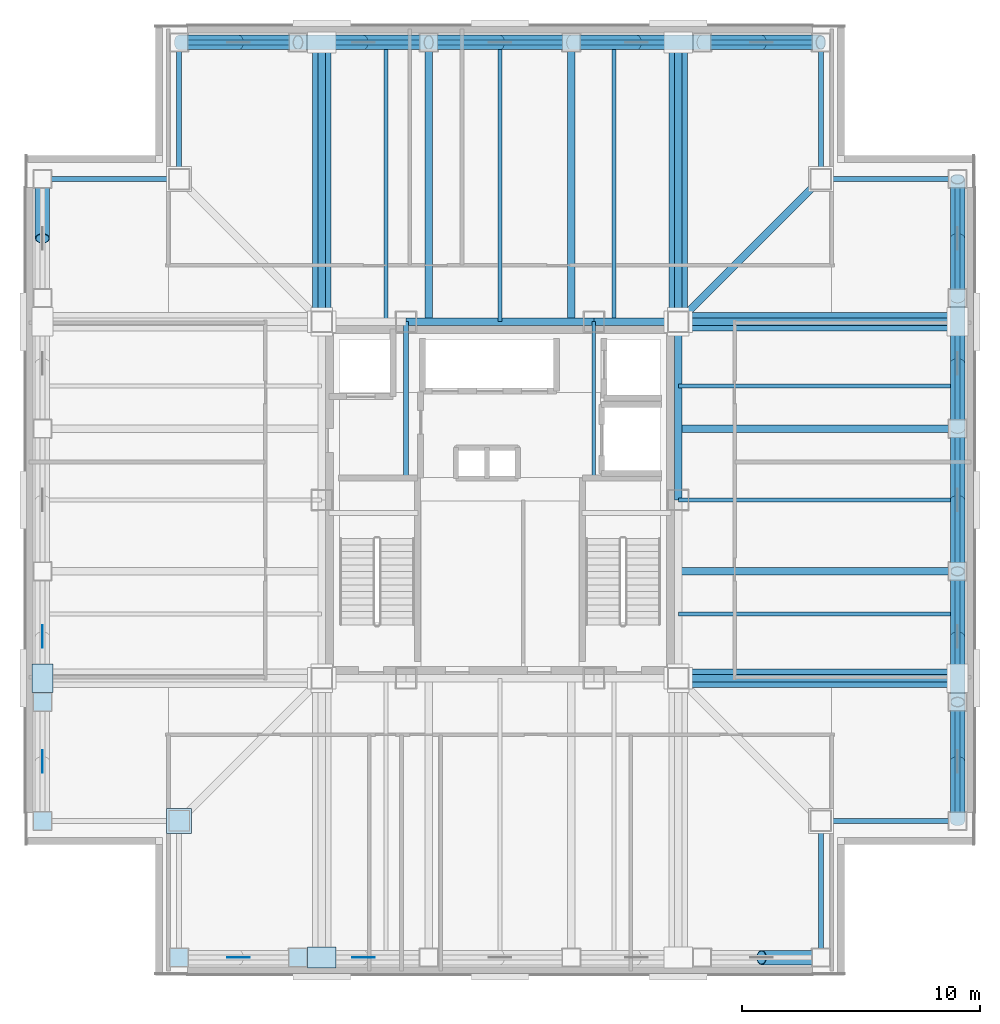
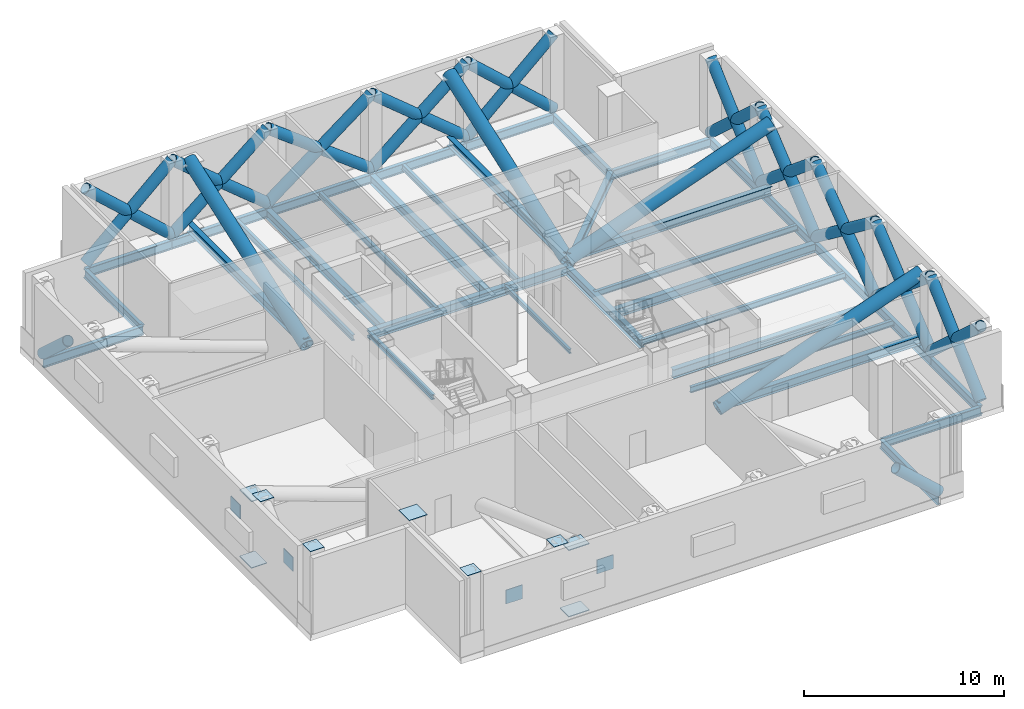
# One storey, part 2 of 10: 40 members, 32 beams, 13 plates.
"""IFC4 building model written with IfcOpenShell, lengths in metres."""

from ifc_helpers import new_model, si_unit, direction, frame, origin, origin_2d, place, context, subcontext, project, spatial, rectangle, hollow_circle, i_section, extrude, material, layer, layer_set, material_profile, profile_set, type_object, element, save


model = new_model("IFC4")

# Units and contexts
model_context = context("Model", 3, precision=1e-05, world=origin(), true_north=direction((0.0, 1.0)))
body_context = subcontext(model_context, "Body", "Model", "MODEL_VIEW")
ifc_project = project(units=[si_unit("LENGTHUNIT", "METRE"), si_unit("AREAUNIT", "SQUARE_METRE"), si_unit("VOLUMEUNIT", "CUBIC_METRE"), si_unit("PLANEANGLEUNIT", "RADIAN"), si_unit("MASSUNIT", "GRAM", prefix="KILO")], contexts=[model_context])

# Site, building, storey
site_placement = place(None, origin())
site = spatial("IfcSite", under=ifc_project, at=site_placement, CompositionType="ELEMENT")
building_placement = place(site_placement, origin())
building = spatial("IfcBuilding", under=site, at=building_placement, Name="Trevonay Congress Spire", CompositionType="ELEMENT")
storey_placement = place(building_placement, frame((0.0, 0.0, 227.39990234375)))
storey = spatial("IfcBuildingStorey", under=building, at=storey_placement, Name="L59", CompositionType="ELEMENT", Elevation=227.39990234375)

# Beams
ifc_material = material(Name="Steel ASTM A572 Grade 50", Category="steel")
ifc_material_profile_1 = material_profile(ifc_material, i_section(OverallWidth=0.31201171875, OverallDepth=0.54296875, WebThickness=0.0126953125, FlangeThickness=0.020263671875, FilletRadius=0.014892578125, at=origin_2d()), Name="W530x150")
ifc_profile_set_1 = profile_set([ifc_material_profile_1], Name="Steel ASTM A572 Grade 50")
beam_type_1 = type_object("IfcBeamType", Name="BM-GIRD-W530X150", PredefinedType="BEAM", material=ifc_profile_set_1)
beam_1_placement = place(storey_placement, frame((-3.949951171875, 7.5, -0.621337890625), z_axis=(1.0, 0.0, 0.0), x_axis=(0.0, 1.0, 0.0)))
element("IfcBeam", 1, at=beam_1_placement, inside=storey, type_object=beam_type_1, Name="L59 structural beam BM-L59-CR-N2", PredefinedType="BEAM", context=body_context, shape_type="SweptSolid", body=[
    extrude(i_section(OverallWidth=0.31201171875, OverallDepth=0.54296875, WebThickness=0.0126953125, FlangeThickness=0.020263671875, FilletRadius=0.014892578125, at=origin_2d()), origin(), (0.0, 0.0, 1.0), 7.89990234375),
])
beam_2_placement = place(storey_placement, frame((3.949951171875, 7.5, -0.621337890625), z_axis=(1.0, 0.0, 0.0), x_axis=(0.0, 1.0, 0.0)))
element("IfcBeam", 2, at=beam_2_placement, inside=storey, type_object=beam_type_1, Name="L59 structural beam BM-L59-CR-N3", PredefinedType="BEAM", context=body_context, shape_type="SweptSolid", body=[
    extrude(i_section(OverallWidth=0.31201171875, OverallDepth=0.54296875, WebThickness=0.0126953125, FlangeThickness=0.020263671875, FilletRadius=0.014892578125, at=origin_2d()), origin(), (0.0, 0.0, 1.0), 3.550048828125),
])
beam_3_placement = place(storey_placement, frame((7.5, 0.0, -0.621337890625), z_axis=(0.0, 1.0, 0.0), x_axis=(-1.0, 0.0, 0.0)))
element("IfcBeam", 3, at=beam_3_placement, inside=storey, type_object=beam_type_1, Name="L59 structural beam BM-L59-CR-E2", PredefinedType="BEAM", context=body_context, shape_type="SweptSolid", body=[
    extrude(i_section(OverallWidth=0.31201171875, OverallDepth=0.54296875, WebThickness=0.0126953125, FlangeThickness=0.020263671875, FilletRadius=0.014892578125, at=origin_2d()), origin(), (0.0, 0.0, 1.0), 7.5),
])
beam_4_placement = place(storey_placement, frame((7.5, 7.5, -0.621337890625), z_axis=(0.707106781187, 0.707106781187, 0.0), x_axis=(-0.707106781187, 0.707106781187, 0.0)))
element("IfcBeam", 4, at=beam_4_placement, inside=storey, type_object=beam_type_1, Name="L59 structural beam BM-L59-CDNE", PredefinedType="BEAM", context=body_context, shape_type="SweptSolid", body=[
    extrude(i_section(OverallWidth=0.31201171875, OverallDepth=0.54296875, WebThickness=0.0126953125, FlangeThickness=0.020263671875, FilletRadius=0.014892578125, at=origin_2d()), origin(), (0.0, 0.0, 1.0), 8.4853515625),
])
for number, where, z_axis, x_axis, name in (
    (5, (-3.0, 7.5, -0.621337890625), (0.0, 1.0, 0.0), (-1.0, 0.0, 0.0), "L59 structural beam BM-L59-GN-M"),
    (6, (7.5, -3.0, -0.621337890625), (1.0, 0.0, 0.0), (0.0, 1.0, 0.0), "L59 structural beam BM-L59-GE-M"),
    (7, (3.0, 7.5, -0.621337890625), (0.0, 1.0, 0.0), (-1.0, 0.0, 0.0), "L59 structural beam BM-L59-GN-P"),
    (8, (7.5, 3.0, -0.621337890625), (1.0, 0.0, 0.0), (0.0, 1.0, 0.0), "L59 structural beam BM-L59-GE-P"),
):
    element("IfcBeam", number, at=place(storey_placement, frame(where, z_axis=z_axis, x_axis=x_axis)), inside=storey, type_object=beam_type_1, Name=name, PredefinedType="BEAM", context=body_context, shape_type="SweptSolid", body=[
        extrude(i_section(OverallWidth=0.31201171875, OverallDepth=0.54296875, WebThickness=0.0126953125, FlangeThickness=0.020263671875, FilletRadius=0.014892578125, at=origin_2d()), origin(), (0.0, 0.0, 1.0), 11.75),
    ])
ifc_material_profile_2 = material_profile(ifc_material, i_section(OverallWidth=0.2119140625, OverallDepth=0.5439453125, WebThickness=0.01318359375, FlangeThickness=0.021240234375, FilletRadius=0.014892578125, at=origin_2d()), Name="W530x123")
ifc_profile_set_2 = profile_set([ifc_material_profile_2], Name="Steel ASTM A572 Grade 50")
beam_type_2 = type_object("IfcBeamType", Name="BM-RING-W530X123", PredefinedType="BEAM", material=ifc_profile_set_2)
for number, where, z_axis, x_axis, name in (
    (9, (-13.5, 19.25, -0.621826171875), (1.0, 0.0, 0.0), (0.0, 1.0, 0.0), "L59 structural beam BM-L59-PN1"),
    (10, (19.25, -13.5, -0.621826171875), (0.0, 1.0, 0.0), (-1.0, 0.0, 0.0), "L59 structural beam BM-L59-PE1"),
):
    element("IfcBeam", number, at=place(storey_placement, frame(where, z_axis=z_axis, x_axis=x_axis)), inside=storey, type_object=beam_type_2, Name=name, PredefinedType="BEAM", context=body_context, shape_type="SweptSolid", body=[
        extrude(i_section(OverallWidth=0.2119140625, OverallDepth=0.5439453125, WebThickness=0.01318359375, FlangeThickness=0.021240234375, FilletRadius=0.014892578125, at=origin_2d()), origin(), (0.0, 0.0, 1.0), 5.0),
    ])
for number, where, z_axis, x_axis, name in (
    (11, (-8.5, 19.25, -0.621826171875), (1.0, 0.0, 0.0), (0.0, 1.0, 0.0), "L59 structural beam BM-L59-PN2"),
    (12, (19.25, -8.5, -0.621826171875), (0.0, 1.0, 0.0), (-1.0, 0.0, 0.0), "L59 structural beam BM-L59-PE2"),
):
    element("IfcBeam", number, at=place(storey_placement, frame(where, z_axis=z_axis, x_axis=x_axis)), inside=storey, type_object=beam_type_2, Name=name, PredefinedType="BEAM", context=body_context, shape_type="SweptSolid", body=[
        extrude(i_section(OverallWidth=0.2119140625, OverallDepth=0.5439453125, WebThickness=0.01318359375, FlangeThickness=0.021240234375, FilletRadius=0.014892578125, at=origin_2d()), origin(), (0.0, 0.0, 1.0), 5.5),
    ])
for number, where, z_axis, x_axis, name in (
    (13, (-3.0, 19.25, -0.621826171875), (1.0, 0.0, 0.0), (0.0, 1.0, 0.0), "L59 structural beam BM-L59-PN3"),
    (14, (19.25, -3.0, -0.621826171875), (0.0, 1.0, 0.0), (-1.0, 0.0, 0.0), "L59 structural beam BM-L59-PE3"),
):
    element("IfcBeam", number, at=place(storey_placement, frame(where, z_axis=z_axis, x_axis=x_axis)), inside=storey, type_object=beam_type_2, Name=name, PredefinedType="BEAM", context=body_context, shape_type="SweptSolid", body=[
        extrude(i_section(OverallWidth=0.2119140625, OverallDepth=0.5439453125, WebThickness=0.01318359375, FlangeThickness=0.021240234375, FilletRadius=0.014892578125, at=origin_2d()), origin(), (0.0, 0.0, 1.0), 6.0),
    ])
for number, where, z_axis, x_axis, name in (
    (15, (3.0, 19.25, -0.621826171875), (1.0, 0.0, 0.0), (0.0, 1.0, 0.0), "L59 structural beam BM-L59-PN4"),
    (16, (19.25, 3.0, -0.621826171875), (0.0, 1.0, 0.0), (-1.0, 0.0, 0.0), "L59 structural beam BM-L59-PE4"),
):
    element("IfcBeam", number, at=place(storey_placement, frame(where, z_axis=z_axis, x_axis=x_axis)), inside=storey, type_object=beam_type_2, Name=name, PredefinedType="BEAM", context=body_context, shape_type="SweptSolid", body=[
        extrude(i_section(OverallWidth=0.2119140625, OverallDepth=0.5439453125, WebThickness=0.01318359375, FlangeThickness=0.021240234375, FilletRadius=0.014892578125, at=origin_2d()), origin(), (0.0, 0.0, 1.0), 5.5),
    ])
for number, where, z_axis, x_axis, name in (
    (17, (8.5, 19.25, -0.621826171875), (1.0, 0.0, 0.0), (0.0, 1.0, 0.0), "L59 structural beam BM-L59-PN5"),
    (18, (19.25, 8.5, -0.621826171875), (0.0, 1.0, 0.0), (-1.0, 0.0, 0.0), "L59 structural beam BM-L59-PE5"),
):
    element("IfcBeam", number, at=place(storey_placement, frame(where, z_axis=z_axis, x_axis=x_axis)), inside=storey, type_object=beam_type_2, Name=name, PredefinedType="BEAM", context=body_context, shape_type="SweptSolid", body=[
        extrude(i_section(OverallWidth=0.2119140625, OverallDepth=0.5439453125, WebThickness=0.01318359375, FlangeThickness=0.021240234375, FilletRadius=0.014892578125, at=origin_2d()), origin(), (0.0, 0.0, 1.0), 5.0),
    ])
for number, where, z_axis, x_axis, name in (
    (19, (13.5, -19.25, -0.621826171875), (0.0, 1.0, 0.0), (-1.0, 0.0, 0.0), "L59 structural beam BM-L59-N1SE"),
    (20, (19.25, -13.5, -0.621826171875), (-1.0, 0.0, 0.0), (0.0, -1.0, 0.0), "L59 structural beam BM-L59-N2SE"),
    (21, (13.5, 19.25, -0.621826171875), (0.0, -1.0, 0.0), (1.0, 0.0, 0.0), "L59 structural beam BM-L59-N1NE"),
    (22, (19.25, 13.5, -0.621826171875), (-1.0, 0.0, 0.0), (0.0, -1.0, 0.0), "L59 structural beam BM-L59-N2NE"),
    (23, (-13.5, 19.25, -0.621826171875), (0.0, -1.0, 0.0), (1.0, 0.0, 0.0), "L59 structural beam BM-L59-N1NW"),
    (24, (-19.25, 13.5, -0.621826171875), (1.0, 0.0, 0.0), (0.0, 1.0, 0.0), "L59 structural beam BM-L59-N2NW"),
):
    element("IfcBeam", number, at=place(storey_placement, frame(where, z_axis=z_axis, x_axis=x_axis)), inside=storey, type_object=beam_type_2, Name=name, PredefinedType="BEAM", context=body_context, shape_type="SweptSolid", body=[
        extrude(i_section(OverallWidth=0.2119140625, OverallDepth=0.5439453125, WebThickness=0.01318359375, FlangeThickness=0.021240234375, FilletRadius=0.014892578125, at=origin_2d()), origin(), (0.0, 0.0, 1.0), 5.75),
    ])
ifc_material_profile_3 = material_profile(ifc_material, i_section(OverallWidth=0.172119140625, OverallDepth=0.35791015625, WebThickness=0.0078125, FlangeThickness=0.01318359375, FilletRadius=0.011962890625, at=origin_2d()), Name="W360x57.8")
ifc_profile_set_3 = profile_set([ifc_material_profile_3], Name="Steel ASTM A572 Grade 50")
beam_type_3 = type_object("IfcBeamType", Name="JS-COMP-W360X57", PredefinedType="JOIST", material=ifc_profile_set_3)
for number, where, z_axis, x_axis, name in (
    (25, (-4.800048828125, 7.5, -0.52880859375), (0.0, 1.0, 0.0), (-1.0, 0.0, 0.0), "L59 structural beam JS-L59-NS-N1"),
    (26, (7.5, -4.800048828125, -0.52880859375), (1.0, 0.0, 0.0), (0.0, 1.0, 0.0), "L59 structural beam JS-L59-EW-E1"),
    (27, (0.0, 7.5, -0.52880859375), (0.0, 1.0, 0.0), (-1.0, 0.0, 0.0), "L59 structural beam JS-L59-NS-N2"),
    (28, (7.5, 0.0, -0.52880859375), (1.0, 0.0, 0.0), (0.0, 1.0, 0.0), "L59 structural beam JS-L59-EW-E2"),
    (29, (4.800048828125, 7.5, -0.52880859375), (0.0, 1.0, 0.0), (-1.0, 0.0, 0.0), "L59 structural beam JS-L59-NS-N3"),
    (30, (7.5, 4.800048828125, -0.52880859375), (1.0, 0.0, 0.0), (0.0, 1.0, 0.0), "L59 structural beam JS-L59-EW-E3"),
):
    element("IfcBeam", number, at=place(storey_placement, frame(where, z_axis=z_axis, x_axis=x_axis)), inside=storey, type_object=beam_type_3, Name=name, PredefinedType="JOIST", context=body_context, shape_type="SweptSolid", body=[
        extrude(i_section(OverallWidth=0.172119140625, OverallDepth=0.35791015625, WebThickness=0.0078125, FlangeThickness=0.01318359375, FilletRadius=0.011962890625, at=origin_2d()), origin(), (0.0, 0.0, 1.0), 11.75),
    ])
ifc_material_profile_4 = material_profile(ifc_material, i_section(OverallWidth=0.2041015625, OverallDepth=0.305908203125, WebThickness=0.008544921875, FlangeThickness=0.0146484375, FilletRadius=0.010986328125, at=origin_2d()), Name="W310x67")
ifc_profile_set_4 = profile_set([ifc_material_profile_4], Name="Steel ASTM A572 Grade 50")
beam_type_4 = type_object("IfcBeamType", Name="LN-CORE-W310X67", PredefinedType="LINTEL", material=ifc_profile_set_4)
beam_5_placement = place(storey_placement, frame((-3.949951171875, 1.0, -0.5029296875), z_axis=(0.0, 1.0, 0.0), x_axis=(-1.0, 0.0, 0.0)))
element("IfcBeam", 31, at=beam_5_placement, inside=storey, type_object=beam_type_4, Name="L59 structural beam LIN-L59-W", PredefinedType="LINTEL", context=body_context, shape_type="SweptSolid", body=[
    extrude(i_section(OverallWidth=0.2041015625, OverallDepth=0.305908203125, WebThickness=0.008544921875, FlangeThickness=0.0146484375, FilletRadius=0.010986328125, at=origin_2d()), origin(), (0.0, 0.0, 1.0), 6.5),
])
ifc_material_profile_5 = material_profile(ifc_material, i_section(OverallWidth=0.14794921875, OverallDepth=0.26611328125, WebThickness=0.007568359375, FlangeThickness=0.012939453125, FilletRadius=0.010009765625, at=origin_2d()), Name="W250x44.8")
ifc_profile_set_5 = profile_set([ifc_material_profile_5], Name="Steel ASTM A572 Grade 50")
beam_type_5 = type_object("IfcBeamType", Name="LN-DOOR-W250X45", PredefinedType="LINTEL", material=ifc_profile_set_5)
beam_6_placement = place(storey_placement, frame((3.949951171875, 1.0, -0.48291015625), z_axis=(0.0, 1.0, 0.0), x_axis=(-1.0, 0.0, 0.0)))
element("IfcBeam", 32, at=beam_6_placement, inside=storey, type_object=beam_type_5, Name="L59 structural beam LIN-L59-E", PredefinedType="LINTEL", context=body_context, shape_type="SweptSolid", body=[
    extrude(i_section(OverallWidth=0.14794921875, OverallDepth=0.26611328125, WebThickness=0.007568359375, FlangeThickness=0.012939453125, FilletRadius=0.010009765625, at=origin_2d()), origin(), (0.0, 0.0, 1.0), 6.5),
])

# Members
ifc_material_profile_6 = material_profile(ifc_material, i_section(OverallWidth=0.31201171875, OverallDepth=0.54296875, WebThickness=0.0126953125, FlangeThickness=0.020263671875, FilletRadius=0.014892578125, at=origin_2d()), Name="W530x150")
ifc_profile_set_6 = profile_set([ifc_material_profile_6], Name="Steel ASTM A572 Grade 50")
member_type_1 = type_object("IfcMemberType", Name="MBR-CHORD-HSS500", PredefinedType="CHORD", material=ifc_profile_set_6)
for number, where, z_axis, x_axis, name in (
    (33, (-7.5, 7.5, 0.10009765625), (0.0, 1.0, 0.0), (-1.0, 0.0, 0.0), "L59 outrigger bottom chord ON-W"),
    (34, (7.5, 7.5, 0.10009765625), (0.0, 1.0, 0.0), (-1.0, 0.0, 0.0), "L59 outrigger bottom chord ON-E"),
    (35, (7.5, -7.5, 0.10009765625), (1.0, 0.0, 0.0), (0.0, 1.0, 0.0), "L59 outrigger bottom chord OE-S"),
    (36, (7.5, 7.5, 0.10009765625), (1.0, 0.0, 0.0), (0.0, 1.0, 0.0), "L59 outrigger bottom chord OE-N"),
):
    element("IfcMember", number, at=place(storey_placement, frame(where, z_axis=z_axis, x_axis=x_axis)), inside=storey, type_object=member_type_1, Name=name, PredefinedType="CHORD", context=body_context, shape_type="SweptSolid", body=[
        extrude(i_section(OverallWidth=0.31201171875, OverallDepth=0.54296875, WebThickness=0.0126953125, FlangeThickness=0.020263671875, FilletRadius=0.014892578125, at=origin_2d()), origin(), (0.0, 0.0, 1.0), 11.75),
    ])
ifc_material_profile_7 = material_profile(ifc_material, hollow_circle(Radius=0.381103515625, WallThickness=0.0400390625, at=origin_2d()), Name="CHS 762x40")
ifc_profile_set_7 = profile_set([ifc_material_profile_7], Name="Steel ASTM A572 Grade 50")
member_type_2 = type_object("IfcMemberType", Name="MBR-OUTRIG-CHS762", PredefinedType="BRACE", material=ifc_profile_set_7)
for number, where, z_axis, x_axis, name in (
    (37, (-7.5, 7.5, -0.0498046875), (0.0, 0.941652460936, 0.336586753771), (-1.0, 0.0, 0.0), "L59 outrigger diagonal ON-W"),
    (38, (7.5, 7.5, -0.0498046875), (0.0, 0.941652460936, 0.336586753771), (-1.0, 0.0, 0.0), "L59 outrigger diagonal ON-E"),
    (39, (7.5, -7.5, -0.0498046875), (0.941652460936, 0.0, 0.336586753771), (0.0, 1.0, 0.0), "L59 outrigger diagonal OE-S"),
    (40, (7.5, 7.5, -0.0498046875), (0.941652460936, 0.0, 0.336586753771), (0.0, 1.0, 0.0), "L59 outrigger diagonal OE-N"),
):
    element("IfcMember", number, at=place(storey_placement, frame(where, z_axis=z_axis, x_axis=x_axis)), inside=storey, type_object=member_type_2, Name=name, PredefinedType="BRACE", context=body_context, shape_type="SweptSolid", body=[
        extrude(hollow_circle(Radius=0.381103515625, WallThickness=0.0400390625, at=origin_2d()), origin(), (0.0, 0.0, 1.0), 12.47802734375),
    ])
ifc_material_profile_8 = material_profile(ifc_material, hollow_circle(Radius=0.304931640625, WallThickness=0.031982421875, at=origin_2d()), Name="CHS 610x32")
ifc_profile_set_8 = profile_set([ifc_material_profile_8], Name="Steel ASTM A572 Grade 50")
member_type_3 = type_object("IfcMemberType", Name="MBR-TUBE-CHS610", PredefinedType="BRACE", material=ifc_profile_set_8)
member_1_placement = place(storey_placement, frame((11.0, -19.25, 2.22509765625), z_axis=(0.739619700303, 0.0, -0.673025035881), x_axis=(0.0, 1.0, 0.0)))
element("IfcMember", 41, at=member_1_placement, inside=storey, type_object=member_type_3, Name="L59 split belt truss diagonal segment S4-2B", PredefinedType="BRACE", context=body_context, shape_type="SweptSolid", body=[
    extrude(hollow_circle(Radius=0.304931640625, WallThickness=0.031982421875, at=origin_2d()), origin(), (0.0, 0.0, 1.0), 3.380126953125),
])
member_2_placement = place(storey_placement, frame((-13.5, 19.25, -0.0498046875), z_axis=(0.739619700303, 0.0, 0.673025035881), x_axis=(0.0, 1.0, 0.0)))
element("IfcMember", 42, at=member_2_placement, inside=storey, type_object=member_type_3, Name="L59 continuous belt truss diagonal N0-1", PredefinedType="BRACE", context=body_context, shape_type="SweptSolid", body=[
    extrude(hollow_circle(Radius=0.304931640625, WallThickness=0.031982421875, at=origin_2d()), origin(), (0.0, 0.0, 1.0), 6.76025390625),
])
for number, where, z_axis, x_axis, name in (
    (43, (-13.5, 19.25, 4.5), (0.739619700303, 0.0, -0.673025035881), (0.0, 1.0, 0.0), "L59 split belt truss diagonal segment N0-2A"),
    (44, (-11.0, 19.25, 2.22509765625), (0.739619700303, 0.0, -0.673025035881), (0.0, 1.0, 0.0), "L59 split belt truss diagonal segment N0-2B"),
):
    element("IfcMember", number, at=place(storey_placement, frame(where, z_axis=z_axis, x_axis=x_axis)), inside=storey, type_object=member_type_3, Name=name, PredefinedType="BRACE", context=body_context, shape_type="SweptSolid", body=[
        extrude(hollow_circle(Radius=0.304931640625, WallThickness=0.031982421875, at=origin_2d()), origin(), (0.0, 0.0, 1.0), 3.380126953125),
    ])
member_3_placement = place(storey_placement, frame((-8.5, 19.25, -0.0498046875), z_axis=(0.770526385827, 0.0, 0.637408102196), x_axis=(0.0, 1.0, 0.0)))
element("IfcMember", 45, at=member_3_placement, inside=storey, type_object=member_type_3, Name="L59 continuous belt truss diagonal N1-1", PredefinedType="BRACE", context=body_context, shape_type="SweptSolid", body=[
    extrude(hollow_circle(Radius=0.304931640625, WallThickness=0.031982421875, at=origin_2d()), origin(), (0.0, 0.0, 1.0), 7.137939453125),
])
for number, where, z_axis, x_axis, name in (
    (46, (-8.5, 19.25, 4.5), (0.770526385827, 0.0, -0.637408102196), (0.0, 1.0, 0.0), "L59 split belt truss diagonal segment N1-2A"),
    (47, (-5.75, 19.25, 2.22509765625), (0.770526385827, 0.0, -0.637408102196), (0.0, 1.0, 0.0), "L59 split belt truss diagonal segment N1-2B"),
):
    element("IfcMember", number, at=place(storey_placement, frame(where, z_axis=z_axis, x_axis=x_axis)), inside=storey, type_object=member_type_3, Name=name, PredefinedType="BRACE", context=body_context, shape_type="SweptSolid", body=[
        extrude(hollow_circle(Radius=0.304931640625, WallThickness=0.031982421875, at=origin_2d()), origin(), (0.0, 0.0, 1.0), 3.569091796875),
    ])
member_4_placement = place(storey_placement, frame((-3.0, 19.25, -0.0498046875), z_axis=(0.796813994837, 0.0, 0.604224674796), x_axis=(0.0, 1.0, 0.0)))
element("IfcMember", 48, at=member_4_placement, inside=storey, type_object=member_type_3, Name="L59 continuous belt truss diagonal N2-1", PredefinedType="BRACE", context=body_context, shape_type="SweptSolid", body=[
    extrude(hollow_circle(Radius=0.304931640625, WallThickness=0.031982421875, at=origin_2d()), origin(), (0.0, 0.0, 1.0), 7.530029296875),
])
for number, where, z_axis, x_axis, name in (
    (49, (-3.0, 19.25, 4.5), (0.796813994837, 0.0, -0.604224674796), (0.0, 1.0, 0.0), "L59 split belt truss diagonal segment N2-2A"),
    (50, (0.0, 19.25, 2.22509765625), (0.796813994837, 0.0, -0.604224674796), (0.0, 1.0, 0.0), "L59 split belt truss diagonal segment N2-2B"),
):
    element("IfcMember", number, at=place(storey_placement, frame(where, z_axis=z_axis, x_axis=x_axis)), inside=storey, type_object=member_type_3, Name=name, PredefinedType="BRACE", context=body_context, shape_type="SweptSolid", body=[
        extrude(hollow_circle(Radius=0.304931640625, WallThickness=0.031982421875, at=origin_2d()), origin(), (0.0, 0.0, 1.0), 3.764892578125),
    ])
member_5_placement = place(storey_placement, frame((3.0, 19.25, -0.0498046875), z_axis=(0.770526385827, 0.0, 0.637408102196), x_axis=(0.0, 1.0, 0.0)))
element("IfcMember", 51, at=member_5_placement, inside=storey, type_object=member_type_3, Name="L59 continuous belt truss diagonal N3-1", PredefinedType="BRACE", context=body_context, shape_type="SweptSolid", body=[
    extrude(hollow_circle(Radius=0.304931640625, WallThickness=0.031982421875, at=origin_2d()), origin(), (0.0, 0.0, 1.0), 7.137939453125),
])
for number, where, z_axis, x_axis, name in (
    (52, (3.0, 19.25, 4.5), (0.770526385827, 0.0, -0.637408102196), (0.0, 1.0, 0.0), "L59 split belt truss diagonal segment N3-2A"),
    (53, (5.75, 19.25, 2.22509765625), (0.770526385827, 0.0, -0.637408102196), (0.0, 1.0, 0.0), "L59 split belt truss diagonal segment N3-2B"),
):
    element("IfcMember", number, at=place(storey_placement, frame(where, z_axis=z_axis, x_axis=x_axis)), inside=storey, type_object=member_type_3, Name=name, PredefinedType="BRACE", context=body_context, shape_type="SweptSolid", body=[
        extrude(hollow_circle(Radius=0.304931640625, WallThickness=0.031982421875, at=origin_2d()), origin(), (0.0, 0.0, 1.0), 3.569091796875),
    ])
member_6_placement = place(storey_placement, frame((8.5, 19.25, -0.0498046875), z_axis=(0.739619700303, 0.0, 0.673025035881), x_axis=(0.0, 1.0, 0.0)))
element("IfcMember", 54, at=member_6_placement, inside=storey, type_object=member_type_3, Name="L59 continuous belt truss diagonal N4-1", PredefinedType="BRACE", context=body_context, shape_type="SweptSolid", body=[
    extrude(hollow_circle(Radius=0.304931640625, WallThickness=0.031982421875, at=origin_2d()), origin(), (0.0, 0.0, 1.0), 6.76025390625),
])
for number, where, z_axis, x_axis, name in (
    (55, (8.5, 19.25, 4.5), (0.739619700303, 0.0, -0.673025035881), (0.0, 1.0, 0.0), "L59 split belt truss diagonal segment N4-2A"),
    (56, (11.0, 19.25, 2.22509765625), (0.739619700303, 0.0, -0.673025035881), (0.0, 1.0, 0.0), "L59 split belt truss diagonal segment N4-2B"),
    (57, (-19.25, 11.0, 2.22509765625), (0.0, 0.739619700303, -0.673025035881), (-1.0, 0.0, 0.0), "L59 split belt truss diagonal segment W4-2B"),
):
    element("IfcMember", number, at=place(storey_placement, frame(where, z_axis=z_axis, x_axis=x_axis)), inside=storey, type_object=member_type_3, Name=name, PredefinedType="BRACE", context=body_context, shape_type="SweptSolid", body=[
        extrude(hollow_circle(Radius=0.304931640625, WallThickness=0.031982421875, at=origin_2d()), origin(), (0.0, 0.0, 1.0), 3.380126953125),
    ])
member_7_placement = place(storey_placement, frame((19.25, -13.5, -0.0498046875), z_axis=(0.0, 0.739619700303, 0.673025035881), x_axis=(-1.0, 0.0, 0.0)))
element("IfcMember", 58, at=member_7_placement, inside=storey, type_object=member_type_3, Name="L59 continuous belt truss diagonal E0-1", PredefinedType="BRACE", context=body_context, shape_type="SweptSolid", body=[
    extrude(hollow_circle(Radius=0.304931640625, WallThickness=0.031982421875, at=origin_2d()), origin(), (0.0, 0.0, 1.0), 6.76025390625),
])
for number, where, z_axis, x_axis, name in (
    (59, (19.25, -13.5, 4.5), (0.0, 0.739619700303, -0.673025035881), (-1.0, 0.0, 0.0), "L59 split belt truss diagonal segment E0-2A"),
    (60, (19.25, -11.0, 2.22509765625), (0.0, 0.739619700303, -0.673025035881), (-1.0, 0.0, 0.0), "L59 split belt truss diagonal segment E0-2B"),
):
    element("IfcMember", number, at=place(storey_placement, frame(where, z_axis=z_axis, x_axis=x_axis)), inside=storey, type_object=member_type_3, Name=name, PredefinedType="BRACE", context=body_context, shape_type="SweptSolid", body=[
        extrude(hollow_circle(Radius=0.304931640625, WallThickness=0.031982421875, at=origin_2d()), origin(), (0.0, 0.0, 1.0), 3.380126953125),
    ])
member_8_placement = place(storey_placement, frame((19.25, -8.5, -0.0498046875), z_axis=(0.0, 0.770526385827, 0.637408102196), x_axis=(-1.0, 0.0, 0.0)))
element("IfcMember", 61, at=member_8_placement, inside=storey, type_object=member_type_3, Name="L59 continuous belt truss diagonal E1-1", PredefinedType="BRACE", context=body_context, shape_type="SweptSolid", body=[
    extrude(hollow_circle(Radius=0.304931640625, WallThickness=0.031982421875, at=origin_2d()), origin(), (0.0, 0.0, 1.0), 7.137939453125),
])
for number, where, z_axis, x_axis, name in (
    (62, (19.25, -8.5, 4.5), (0.0, 0.770526385827, -0.637408102196), (-1.0, 0.0, 0.0), "L59 split belt truss diagonal segment E1-2A"),
    (63, (19.25, -5.75, 2.22509765625), (0.0, 0.770526385827, -0.637408102196), (-1.0, 0.0, 0.0), "L59 split belt truss diagonal segment E1-2B"),
):
    element("IfcMember", number, at=place(storey_placement, frame(where, z_axis=z_axis, x_axis=x_axis)), inside=storey, type_object=member_type_3, Name=name, PredefinedType="BRACE", context=body_context, shape_type="SweptSolid", body=[
        extrude(hollow_circle(Radius=0.304931640625, WallThickness=0.031982421875, at=origin_2d()), origin(), (0.0, 0.0, 1.0), 3.569091796875),
    ])
member_9_placement = place(storey_placement, frame((19.25, -3.0, -0.0498046875), z_axis=(0.0, 0.796813994837, 0.604224674796), x_axis=(-1.0, 0.0, 0.0)))
element("IfcMember", 64, at=member_9_placement, inside=storey, type_object=member_type_3, Name="L59 continuous belt truss diagonal E2-1", PredefinedType="BRACE", context=body_context, shape_type="SweptSolid", body=[
    extrude(hollow_circle(Radius=0.304931640625, WallThickness=0.031982421875, at=origin_2d()), origin(), (0.0, 0.0, 1.0), 7.530029296875),
])
for number, where, z_axis, x_axis, name in (
    (65, (19.25, -3.0, 4.5), (0.0, 0.796813994837, -0.604224674796), (-1.0, 0.0, 0.0), "L59 split belt truss diagonal segment E2-2A"),
    (66, (19.25, 0.0, 2.22509765625), (0.0, 0.796813994837, -0.604224674796), (-1.0, 0.0, 0.0), "L59 split belt truss diagonal segment E2-2B"),
):
    element("IfcMember", number, at=place(storey_placement, frame(where, z_axis=z_axis, x_axis=x_axis)), inside=storey, type_object=member_type_3, Name=name, PredefinedType="BRACE", context=body_context, shape_type="SweptSolid", body=[
        extrude(hollow_circle(Radius=0.304931640625, WallThickness=0.031982421875, at=origin_2d()), origin(), (0.0, 0.0, 1.0), 3.764892578125),
    ])
member_10_placement = place(storey_placement, frame((19.25, 3.0, -0.0498046875), z_axis=(0.0, 0.770526385827, 0.637408102196), x_axis=(-1.0, 0.0, 0.0)))
element("IfcMember", 67, at=member_10_placement, inside=storey, type_object=member_type_3, Name="L59 continuous belt truss diagonal E3-1", PredefinedType="BRACE", context=body_context, shape_type="SweptSolid", body=[
    extrude(hollow_circle(Radius=0.304931640625, WallThickness=0.031982421875, at=origin_2d()), origin(), (0.0, 0.0, 1.0), 7.137939453125),
])
for number, where, z_axis, x_axis, name in (
    (68, (19.25, 3.0, 4.5), (0.0, 0.770526385827, -0.637408102196), (-1.0, 0.0, 0.0), "L59 split belt truss diagonal segment E3-2A"),
    (69, (19.25, 5.75, 2.22509765625), (0.0, 0.770526385827, -0.637408102196), (-1.0, 0.0, 0.0), "L59 split belt truss diagonal segment E3-2B"),
):
    element("IfcMember", number, at=place(storey_placement, frame(where, z_axis=z_axis, x_axis=x_axis)), inside=storey, type_object=member_type_3, Name=name, PredefinedType="BRACE", context=body_context, shape_type="SweptSolid", body=[
        extrude(hollow_circle(Radius=0.304931640625, WallThickness=0.031982421875, at=origin_2d()), origin(), (0.0, 0.0, 1.0), 3.569091796875),
    ])
member_11_placement = place(storey_placement, frame((19.25, 8.5, -0.0498046875), z_axis=(0.0, 0.739619700303, 0.673025035881), x_axis=(-1.0, 0.0, 0.0)))
element("IfcMember", 70, at=member_11_placement, inside=storey, type_object=member_type_3, Name="L59 continuous belt truss diagonal E4-1", PredefinedType="BRACE", context=body_context, shape_type="SweptSolid", body=[
    extrude(hollow_circle(Radius=0.304931640625, WallThickness=0.031982421875, at=origin_2d()), origin(), (0.0, 0.0, 1.0), 6.76025390625),
])
for number, where, z_axis, x_axis, name in (
    (71, (19.25, 8.5, 4.5), (0.0, 0.739619700303, -0.673025035881), (-1.0, 0.0, 0.0), "L59 split belt truss diagonal segment E4-2A"),
    (72, (19.25, 11.0, 2.22509765625), (0.0, 0.739619700303, -0.673025035881), (-1.0, 0.0, 0.0), "L59 split belt truss diagonal segment E4-2B"),
):
    element("IfcMember", number, at=place(storey_placement, frame(where, z_axis=z_axis, x_axis=x_axis)), inside=storey, type_object=member_type_3, Name=name, PredefinedType="BRACE", context=body_context, shape_type="SweptSolid", body=[
        extrude(hollow_circle(Radius=0.304931640625, WallThickness=0.031982421875, at=origin_2d()), origin(), (0.0, 0.0, 1.0), 3.380126953125),
    ])

# Plates
ifc_layer_1 = layer(ifc_material, 0.034912109375, Name="Steel ASTM A572 Grade 50")
ifc_layer_set_1 = layer_set([ifc_layer_1], Name="Steel ASTM A572 Grade 50")
plate_type_1 = type_object("IfcPlateType", Name="PLT-ENDCAP-EXT-105", PredefinedType="USERDEFINED", material=ifc_layer_set_1)
plate_placement = place(storey_placement, frame((-13.5, -13.5, 4.58251953125), z_axis=(0.0, 0.0, 1.0), x_axis=(1.0, 0.0, 0.0)))
element("IfcPlate", 73, at=plate_placement, inside=storey, type_object=plate_type_1, Name="L59 hollow column end-cap plate at NC-SW", ObjectType="CAP_PLATE", PredefinedType="USERDEFINED", context=body_context, shape_type="SweptSolid", body=[
    extrude(rectangle(XDim=1.050048828125, YDim=1.050048828125, at=origin_2d()), origin(), (0.0, 0.0, 1.0), 0.034912109375),
])
ifc_layer_2 = layer(ifc_material, 0.030029296875, Name="Steel ASTM A572 Grade 50")
ifc_layer_set_2 = layer_set([ifc_layer_2], Name="Steel ASTM A572 Grade 50")
plate_type_2 = type_object("IfcPlateType", Name="PLT-ENDCAP-EXT-80", PredefinedType="USERDEFINED", material=ifc_layer_set_2)
for number, where, z_axis, x_axis, name in (
    (74, (-13.5, -19.25, 4.5849609375), (0.0, 0.0, 1.0), (1.0, 0.0, 0.0), "L59 hollow column end-cap plate at TS-1"),
    (75, (-19.25, -13.5, 4.5849609375), (0.0, 0.0, 1.0), (1.0, 0.0, 0.0), "L59 hollow column end-cap plate at TW-1"),
    (76, (-8.5, -19.25, 4.5849609375), (0.0, 0.0, 1.0), (1.0, 0.0, 0.0), "L59 hollow column end-cap plate at TS-2"),
    (77, (-19.25, -8.5, 4.5849609375), (0.0, 0.0, 1.0), (1.0, 0.0, 0.0), "L59 hollow column end-cap plate at TW-2"),
):
    element("IfcPlate", number, at=place(storey_placement, frame(where, z_axis=z_axis, x_axis=x_axis)), inside=storey, type_object=plate_type_2, Name=name, ObjectType="CAP_PLATE", PredefinedType="USERDEFINED", context=body_context, shape_type="SweptSolid", body=[
        extrude(rectangle(XDim=0.800048828125, YDim=0.800048828125, at=origin_2d()), origin(), (0.0, 0.0, 1.0), 0.030029296875),
    ])
ifc_layer_3 = layer(ifc_material, 0.034912109375, Name="Steel ASTM A572 Grade 50")
ifc_layer_set_3 = layer_set([ifc_layer_3], Name="Steel ASTM A572 Grade 50")
plate_type_3 = type_object("IfcPlateType", Name="PLT-GUSSET-BELT-35", PredefinedType="USERDEFINED", material=ifc_layer_set_3)
for number, where, z_axis, x_axis, name in (
    (78, (-11.0, -19.25, 1.800048828125), (0.0, 0.0, 1.0), (1.0, 0.0, 0.0), "L59 belt X-brace crossing gusset plate XN-01 S0"),
    (79, (-5.75, -19.25, 1.800048828125), (0.0, 0.0, 1.0), (1.0, 0.0, 0.0), "L59 belt X-brace crossing gusset plate XN-01 S1"),
):
    element("IfcPlate", number, at=place(storey_placement, frame(where, z_axis=z_axis, x_axis=x_axis)), inside=storey, type_object=plate_type_3, Name=name, ObjectType="GUSSET_PLATE", PredefinedType="USERDEFINED", context=body_context, shape_type="SweptSolid", body=[
        extrude(rectangle(XDim=0.949951171875, YDim=0.034912109375, at=origin_2d()), origin(), (0.0, 0.0, 1.0), 0.85009765625),
    ])
for number, where, z_axis, x_axis, name in (
    (80, (-19.25, -11.0, 1.800048828125), (0.0, 0.0, 1.0), (1.0, 0.0, 0.0), "L59 belt X-brace crossing gusset plate XN-01 W0"),
    (81, (-19.25, -5.75, 1.800048828125), (0.0, 0.0, 1.0), (1.0, 0.0, 0.0), "L59 belt X-brace crossing gusset plate XN-01 W1"),
):
    element("IfcPlate", number, at=place(storey_placement, frame(where, z_axis=z_axis, x_axis=x_axis)), inside=storey, type_object=plate_type_3, Name=name, ObjectType="GUSSET_PLATE", PredefinedType="USERDEFINED", context=body_context, shape_type="SweptSolid", body=[
        extrude(rectangle(XDim=0.034912109375, YDim=0.949951171875, at=origin_2d()), origin(), (0.0, 0.0, 1.0), 0.85009765625),
    ])
ifc_layer_4 = layer(ifc_material, 0.044921875, Name="Steel ASTM A572 Grade 50")
ifc_layer_set_4 = layer_set([ifc_layer_4], Name="Steel ASTM A572 Grade 50")
plate_type_4 = type_object("IfcPlateType", Name="PLT-GUSSET-INT-45", PredefinedType="USERDEFINED", material=ifc_layer_set_4)
for number, where, z_axis, x_axis, name in (
    (82, (-7.5, -19.25, 0.07763671875), (0.0, 0.0, 1.0), (1.0, 0.0, 0.0), "L59 outrigger outer-chord gusset plate ON-02 (OS-W)"),
    (83, (-7.5, -19.25, 4.127685546875), (0.0, 0.0, 1.0), (1.0, 0.0, 0.0), "L59 outrigger outer-diagonal gusset plate ON-02 (OS-W)"),
    (84, (-19.25, -7.5, 0.07763671875), (0.0, 0.0, 1.0), (0.0, 1.0, 0.0), "L59 outrigger outer-chord gusset plate ON-02 (OW-S)"),
    (85, (-19.25, -7.5, 4.127685546875), (0.0, 0.0, 1.0), (0.0, 1.0, 0.0), "L59 outrigger outer-diagonal gusset plate ON-02 (OW-S)"),
):
    element("IfcPlate", number, at=place(storey_placement, frame(where, z_axis=z_axis, x_axis=x_axis)), inside=storey, type_object=plate_type_4, Name=name, ObjectType="GUSSET_PLATE", PredefinedType="USERDEFINED", context=body_context, shape_type="SweptSolid", body=[
        extrude(rectangle(XDim=1.199951171875, YDim=0.89990234375, at=origin_2d()), origin(), (0.0, 0.0, 1.0), 0.044921875),
    ])

save(model, "model.ifc")
